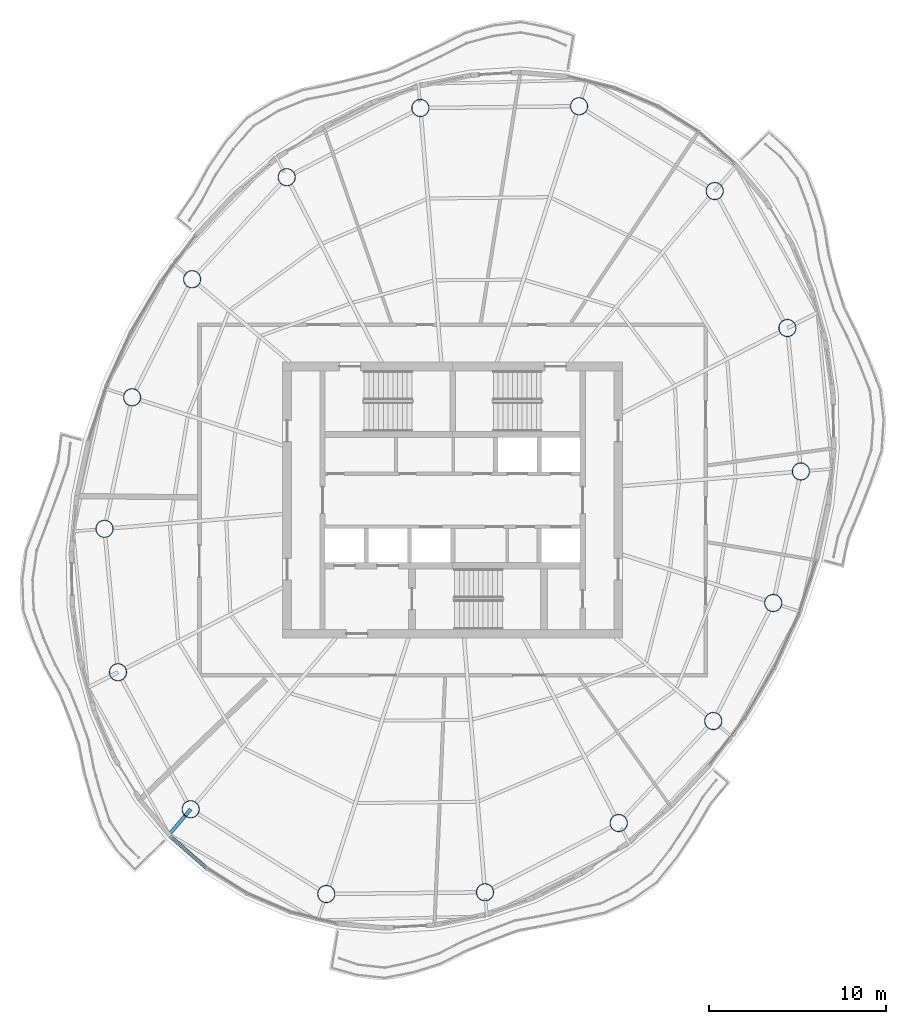
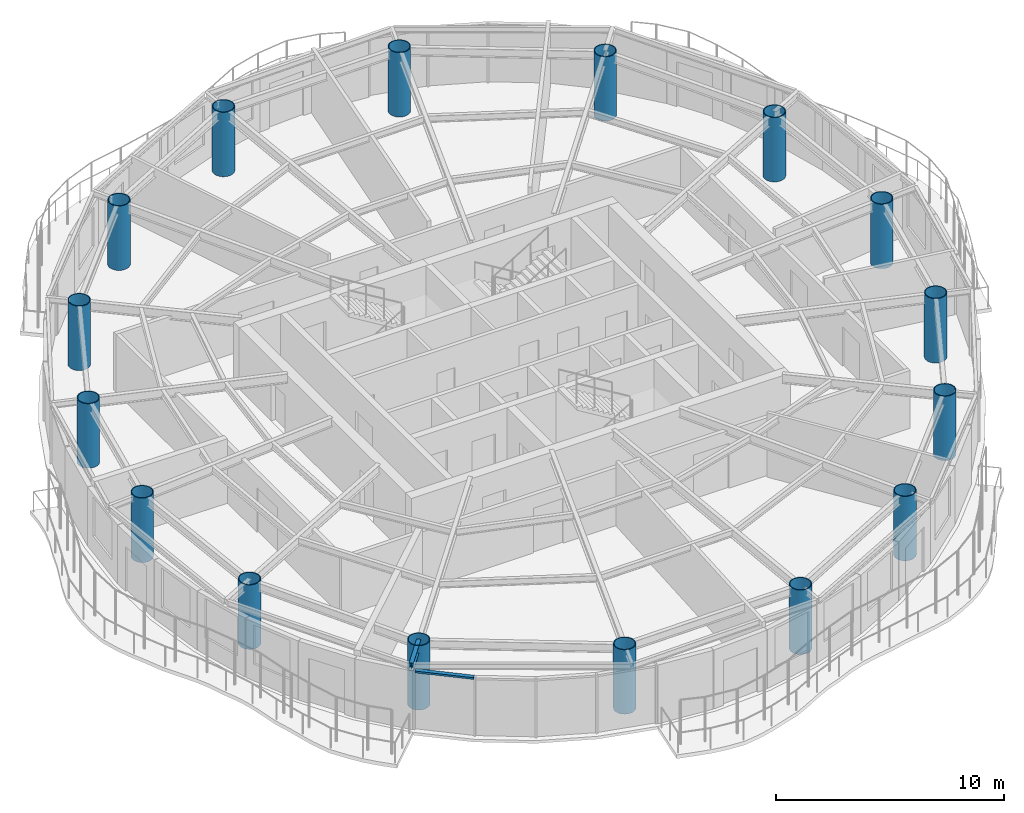
# One storey, part 1 of 13: 16 columns, 1 beam, 1 member, 1 element without a shape of its own.
"""IFC4 building model written with IfcOpenShell, lengths in metres."""

from ifc_helpers import new_model, si_unit, direction, frame, origin, origin_2d, place, context, subcontext, project, spatial, rectangle, hollow_circle, i_section, extrude, material, material_profile, profile_set, type_object, element, aggregate, save


model = new_model("IFC4")

# Units and contexts
model_context = context("Model", 3, precision=1e-05, world=origin(), true_north=direction((0.0, 1.0)))
body_context = subcontext(model_context, "Body", "Model", "MODEL_VIEW")
ifc_project = project(units=[si_unit("LENGTHUNIT", "METRE"), si_unit("AREAUNIT", "SQUARE_METRE"), si_unit("VOLUMEUNIT", "CUBIC_METRE"), si_unit("PLANEANGLEUNIT", "RADIAN"), si_unit("MASSUNIT", "GRAM", prefix="KILO")], contexts=[model_context])

# Site, building, storey
site_placement = place(None, origin())
site = spatial("IfcSite", under=ifc_project, at=site_placement, CompositionType="ELEMENT")
building_placement = place(site_placement, origin())
building = spatial("IfcBuilding", under=site, at=building_placement, Name="Vermilion Reach Broadcast Tower", CompositionType="ELEMENT")
storey_placement = place(building_placement, frame((0.0, 0.0, 282.89990234375)))
storey = spatial("IfcBuildingStorey", under=building, at=storey_placement, Name="L70", CompositionType="ELEMENT", Elevation=282.89990234375)

# Columns
ifc_material_1 = material(Name="Concrete C60 infill in steel S460NL tube", Category="concrete")
ifc_material_profile_1 = material_profile(ifc_material_1, hollow_circle(Radius=0.5, WallThickness=0.0400390625, at=origin_2d()), Name="Concrete C60 infill in steel S460NL tube CFT 1000x40")
ifc_profile_set_1 = profile_set([ifc_material_profile_1], Name="Concrete C60 infill in steel S460NL tube")
column_type = type_object("IfcColumnType", Name="MC5 CFT 1000x40", PredefinedType="COLUMN", material=ifc_profile_set_1)
for number, where, z_axis, x_axis, name in (
    (1, (1.138427734375, 22.2470703125, 0.0), (0.0, 0.0, 1.0), (1.0, 0.0, 0.0), "Mega-column MC5-01"),
    (2, (-7.824951171875, 22.1494140625, 0.0), (0.0, 0.0, 1.0), (1.0, 0.0, 0.0), "Mega-column MC5-02"),
    (3, (-15.376953125, 18.23779296875, 0.0), (0.0, 0.0, 1.0), (1.0, 0.0, 0.0), "Mega-column MC5-03"),
    (4, (-20.717529296875, 12.476806640625, 0.0), (0.0, 0.0, 1.0), (1.0, 0.0, 0.0), "Mega-column MC5-04"),
    (5, (-24.10595703125, 5.809814453125, 0.0), (0.0, 0.0, 1.0), (1.0, 0.0, 0.0), "Mega-column MC5-05"),
    (6, (-25.665771484375, -1.620361328125, 0.0), (0.0, 0.0, 1.0), (1.0, 0.0, 0.0), "Mega-column MC5-06"),
    (7, (-24.905517578125, -9.72021484375, 0.0), (0.0, 0.0, 1.0), (1.0, 0.0, 0.0), "Mega-column MC5-07"),
    (8, (-20.799560546875, -17.457275390625, 0.0), (0.0, 0.0, 1.0), (1.0, 0.0, 0.0), "Mega-column MC5-08"),
    (9, (-13.138427734375, -22.2470703125, 0.0), (0.0, 0.0, 1.0), (1.0, 0.0, 0.0), "Mega-column MC5-09"),
    (10, (-4.175048828125, -22.1494140625, 0.0), (0.0, 0.0, 1.0), (1.0, 0.0, 0.0), "Mega-column MC5-10"),
    (11, (3.376953125, -18.23779296875, 0.0), (0.0, 0.0, 1.0), (1.0, 0.0, 0.0), "Mega-column MC5-11"),
    (12, (8.717529296875, -12.476806640625, 0.0), (0.0, 0.0, 1.0), (1.0, 0.0, 0.0), "Mega-column MC5-12"),
    (13, (12.10595703125, -5.809814453125, 0.0), (0.0, 0.0, 1.0), (1.0, 0.0, 0.0), "Mega-column MC5-13"),
    (14, (13.665771484375, 1.620361328125, 0.0), (0.0, 0.0, 1.0), (1.0, 0.0, 0.0), "Mega-column MC5-14"),
    (15, (12.905517578125, 9.72021484375, 0.0), (0.0, 0.0, 1.0), (1.0, 0.0, 0.0), "Mega-column MC5-15"),
    (16, (8.799560546875, 17.457275390625, 0.0), (0.0, 0.0, 1.0), (1.0, 0.0, 0.0), "Mega-column MC5-16"),
):
    element("IfcColumn", number, at=place(storey_placement, frame(where, z_axis=z_axis, x_axis=x_axis)), inside=storey, type_object=column_type, Name=name, PredefinedType="COLUMN", context=body_context, shape_type="SweptSolid", body=[
        extrude(hollow_circle(Radius=0.5, WallThickness=0.0400390625, at=origin_2d()), origin(), (0.0, 0.0, 1.0), 3.4501953125),
    ])

# Beam
ifc_material_2 = material(Name="Steel S355J2", Category="steel")
ifc_material_profile_2 = material_profile(ifc_material_2, i_section(OverallWidth=0.199951171875, OverallDepth=0.39990234375, WebThickness=0.008056640625, FlangeThickness=0.012939453125, at=origin_2d()), Name="S355J2 HN 400x200x8x13")
ifc_profile_set_2 = profile_set([ifc_material_profile_2], Name="Steel S355J2")
beam_type = type_object("IfcBeamType", Name="GC5 HN 400x200x8x13", PredefinedType="BEAM", material=ifc_profile_set_2)
beam_placement = place(storey_placement, frame((-20.799560546875, -17.457275390625, 3.25), z_axis=(-0.646647118036, -0.762789292489, 0.0), x_axis=(0.762789292489, -0.646647118036, 0.0)))
element("IfcBeam", 17, at=beam_placement, inside=storey, type_object=beam_type, Name="Cantilever girder GC5-08", PredefinedType="BEAM", context=body_context, shape_type="SweptSolid", body=[
    extrude(i_section(OverallWidth=0.199951171875, OverallDepth=0.39990234375, WebThickness=0.008056640625, FlangeThickness=0.012939453125, at=origin_2d()), origin(), (0.0, 0.0, 1.0), 1.862548828125),
])

# Curtain wall, member
ifc_material_3 = material(Name="Low-e laminated clear glass in aluminium frame", Category="aluminium")
curtain_wall_type = type_object("IfcCurtainWallType", Name="Slot curtain wall", PredefinedType="NOTDEFINED", material=ifc_material_3)
curtain_wall_placement = place(storey_placement, origin())
curtain_wall = element("IfcCurtainWall", 18, at=curtain_wall_placement, inside=storey, type_object=curtain_wall_type, Name="Slot curtain wall L70 22", PredefinedType="NOTDEFINED")
ifc_material_4 = material(Name="Anodised aluminium", Category="aluminium")
ifc_material_profile_3 = material_profile(ifc_material_4, rectangle(XDim=0.199951171875, YDim=0.10009765625, at=origin_2d()), Name="Slot transom 200 x 100")
ifc_profile_set_3 = profile_set([ifc_material_profile_3], Name="Anodised aluminium")
member_type = type_object("IfcMemberType", Name="Slot transom 200 x 100", PredefinedType="USERDEFINED", material=ifc_profile_set_3)
member_placement = place(storey_placement, frame((-21.88037109375, -19.044921875, 3.10009765625), z_axis=(0.751883170191, -0.659296366124, 0.0), x_axis=(0.659296366124, 0.751883170191, 0.0)))
member = element("IfcMember", 19, at=member_placement, type_object=member_type, Name="Slot transom L70 22.1", ObjectType="TRANSOM", PredefinedType="USERDEFINED", context=body_context, shape_type="SweptSolid", body=[
    extrude(rectangle(XDim=0.199951171875, YDim=0.10009765625, at=origin_2d()), origin(), (0.0, 0.0, 1.0), 2.618408203125),
])
aggregate(curtain_wall, [member])

save(model, "model.ifc")
